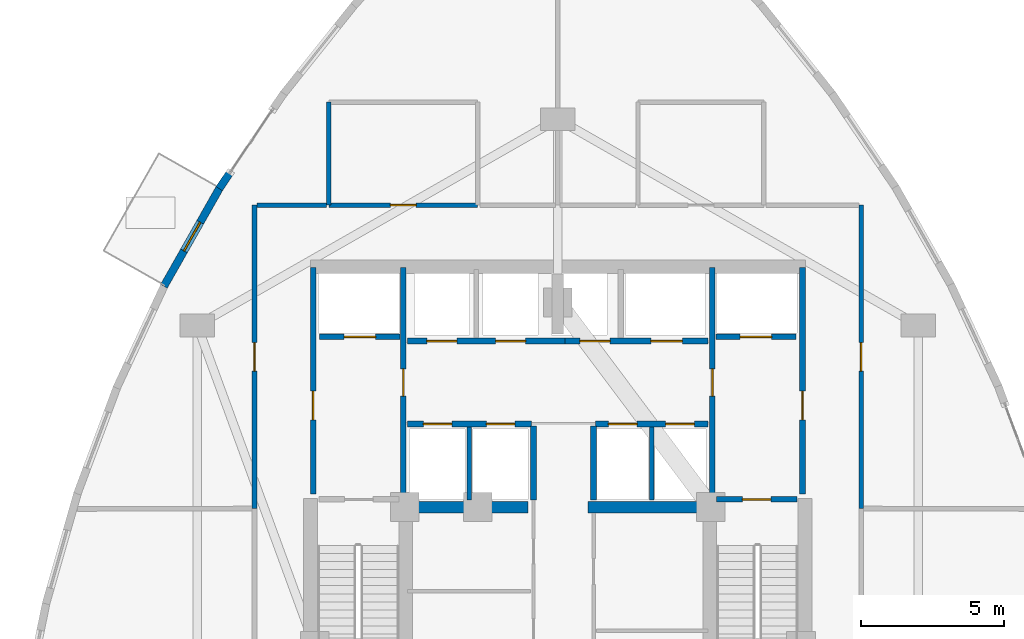
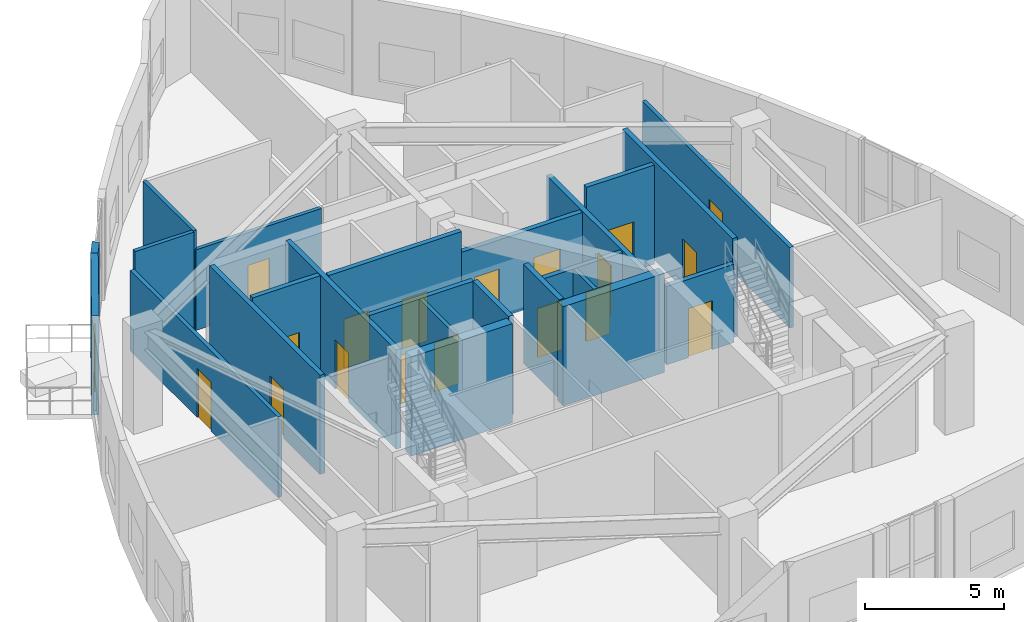
# One storey, part 11 of 14: 24 walls, 19 doors, 19 openings.
"""IFC4 building model written with IfcOpenShell, lengths in metres."""

import ifcopenshell
import ifcopenshell.guid

model = None  # the IFC model being written
_history = None  # IfcOwnerHistory: only IFC2X3 demands one
_inside = {}  # id of a spatial element -> (the spatial element, [elements in it])
_under = {}  # id of a project, library or spatial element -> (it, [spatial elements below it])
_declared = {}  # id of a project -> (the project, [libraries it declares])
_typed = {}  # id of a type object -> (the type object, [elements of that type])
_made_of = {}  # id of a material, layer set ... -> (it, [elements and type objects made of it])


def new_model(schema):
    """Start an empty IFC model of exactly this schema.

    Asked for "IFC4X3", IfcOpenShell would pick the latest addendum, in which some entities
    have other attributes; the version numbers below select the first issue.
    IFC2X3 requires an IfcOwnerHistory on every rooted entity: one is made here for all.
    """
    global model, _history
    if schema == "IFC4X3":
        model = ifcopenshell.file(schema_version=(4, 3, 0, 0))
    else:
        model = ifcopenshell.file(schema=schema)
    _inside.clear()
    _under.clear()
    _declared.clear()
    _typed.clear()
    _made_of.clear()
    _history = None
    if model.schema == "IFC2X3":
        org = make("IfcOrganization", Name="unknown")
        user = make(
            "IfcPersonAndOrganization",
            ThePerson=make("IfcPerson", FamilyName="unknown"),
            TheOrganization=org,
        )
        app = make(
            "IfcApplication",
            ApplicationDeveloper=org,
            Version="unknown",
            ApplicationFullName="unknown",
            ApplicationIdentifier="unknown",
        )
        _history = make(
            "IfcOwnerHistory",
            OwningUser=user,
            OwningApplication=app,
            ChangeAction="ADDED",
            CreationDate=0,
        )
    return model


def make(cls, **values):
    """One entity of the class cls with the attributes given. An attribute that is None is left unset."""
    return model.create_entity(
        cls, **{name: value for name, value in values.items() if value is not None}
    )


def rooted(cls, **values):
    """An entity with a GlobalId (a new one), such as an element, a storey or a relation."""
    return make(cls, GlobalId=ifcopenshell.guid.new(), OwnerHistory=_history, **values)


def si_unit(unit_type, name, prefix=None):
    """IfcSIUnit, for example si_unit("LENGTHUNIT", "METRE", prefix="MILLI")."""
    return make("IfcSIUnit", UnitType=unit_type, Prefix=prefix, Name=name)


def assignment(units):
    """IfcUnitAssignment: the units of a project."""
    return None if units is None else make("IfcUnitAssignment", Units=units)


def point(xyz):
    """IfcCartesianPoint."""
    return None if xyz is None else make("IfcCartesianPoint", Coordinates=xyz)


def direction(xyz):
    """IfcDirection."""
    return None if xyz is None else make("IfcDirection", DirectionRatios=xyz)


def frame(location, z_axis=None, x_axis=None):
    """IfcAxis2Placement3D, a coordinate frame: its origin and axes. An axis left out is left unset."""
    return make(
        "IfcAxis2Placement3D",
        Location=point(location),
        Axis=direction(z_axis),
        RefDirection=direction(x_axis),
    )


def frame_2d(location, x_axis=None):
    """IfcAxis2Placement2D, a coordinate frame in the plane: its origin and x axis."""
    return make(
        "IfcAxis2Placement2D", Location=point(location), RefDirection=direction(x_axis)
    )


def origin():
    """The frame at (0, 0, 0) with its axes left unset."""
    return frame((0.0, 0.0, 0.0))


def place(relative_to, where):
    """IfcLocalPlacement: puts the frame where relative to a parent placement (None: the world)."""
    return make(
        "IfcLocalPlacement", PlacementRelTo=relative_to, RelativePlacement=where
    )


def context(
    kind, dimensions, precision=None, world=None, true_north=None, identifier=None
):
    """IfcGeometricRepresentationContext, for example the 3D "Model" context."""
    return make(
        "IfcGeometricRepresentationContext",
        ContextIdentifier=identifier,
        ContextType=kind,
        CoordinateSpaceDimension=dimensions,
        Precision=precision,
        WorldCoordinateSystem=world,
        TrueNorth=true_north,
    )


def subcontext(parent, identifier, kind, view, scale=None):
    """IfcGeometricRepresentationSubContext, for example "Body" below "Model"."""
    return make(
        "IfcGeometricRepresentationSubContext",
        ContextIdentifier=identifier,
        ContextType=kind,
        ParentContext=parent,
        TargetScale=scale,
        TargetView=view,
    )


def project(units=None, contexts=None):
    """IfcProject with its units and contexts."""
    return rooted(
        "IfcProject",
        Name="project",
        RepresentationContexts=contexts,
        UnitsInContext=assignment(units),
    )


def spatial(cls, under=None, at=None, **own):
    """A site, building, storey or space (cls), placed at a placement, below another one or the project."""
    s = rooted(cls, ObjectPlacement=at, **own)
    if under is not None:
        _under.setdefault(under.id(), (under, []))[1].append(s)
    return s


def profile(cls, at=None, kind="AREA", **sizes):
    """A parametric profile (cls). Its sizes go by their IFC names, for example OverallWidth=200.0."""
    return make(cls, ProfileType=kind, Position=at, **sizes)


def rectangle(**sizes):
    """IfcRectangleProfileDef."""
    return profile("IfcRectangleProfileDef", **sizes)


def extrude(swept, where, along, depth):
    """IfcExtrudedAreaSolid: the profile swept, set in the frame where, extruded along a direction by depth."""
    return make(
        "IfcExtrudedAreaSolid",
        SweptArea=swept,
        Position=where,
        ExtrudedDirection=direction(along),
        Depth=depth,
    )


def shape(context_of_items, identifier, shape_type, items):
    """IfcShapeRepresentation: the items that make up one representation, for example the "Body"."""
    return make(
        "IfcShapeRepresentation",
        ContextOfItems=context_of_items,
        RepresentationIdentifier=identifier,
        RepresentationType=shape_type,
        Items=items,
    )


def material(Name=None, Category=None):
    """IfcMaterial."""
    return make("IfcMaterial", Name=Name, Category=Category)


def layer(
    of_material, thickness, ventilated=None, Name=None, Category=None, Priority=None
):
    """IfcMaterialLayer: one layer of a wall or slab, of a material (None: an air gap)."""
    return make(
        "IfcMaterialLayer",
        Material=of_material,
        LayerThickness=thickness,
        IsVentilated=ventilated,
        Name=Name,
        Category=Category,
        Priority=Priority,
    )


def layer_set(layers, Name=None):
    """IfcMaterialLayerSet."""
    return make("IfcMaterialLayerSet", MaterialLayers=layers, LayerSetName=Name)


def made_of(thing, what):
    """Note that an element or type object is made of a material, layer set ...; save() writes the relation."""
    if what is not None:
        _made_of.setdefault(what.id(), (what, []))[1].append(thing)
    return thing


def type_object(cls, material=None, **own):
    """A type object (cls), such as IfcWallType, which elements share."""
    return made_of(rooted(cls, **own), material)


def element(
    cls,
    number,
    at=None,
    inside=None,
    cuts=None,
    type_object=None,
    material=None,
    context=None,
    identifier="Body",
    shape_type=None,
    held_by="IfcProductDefinitionShape",
    body=None,
    shapes=None,
    **own,
):
    """One element of the class cls, such as IfcWall. Its Tag is "e" and its number.

    at: its placement. inside: the storey or other place that contains it. cuts: it is an
    opening in that element (IfcRelVoidsElement). A single representation is given by context,
    identifier, shape_type and body (its items); several are given by shapes. held_by: the class
    of the entity that holds the representations. save() writes the other relations.
    """
    e = rooted(cls, Tag="e%d" % number, ObjectPlacement=at, **own)
    if body is not None:
        shapes = [shape(context, identifier, shape_type, body)]
    if shapes is not None:
        e.Representation = make(held_by, Representations=shapes)
    if inside is not None:
        _inside.setdefault(inside.id(), (inside, []))[1].append(e)
    if cuts is not None:
        rooted(
            "IfcRelVoidsElement", RelatingBuildingElement=cuts, RelatedOpeningElement=e
        )
    if type_object is not None:
        _typed.setdefault(type_object.id(), (type_object, []))[1].append(e)
    return made_of(e, material)


def fill(opening, filler):
    """IfcRelFillsElement: the door or window that sits in an opening."""
    return rooted(
        "IfcRelFillsElement",
        RelatingOpeningElement=opening,
        RelatedBuildingElement=filler,
    )


def aggregate(whole, parts):
    """IfcRelAggregates: a whole, such as a stair, and the parts it consists of."""
    return rooted("IfcRelAggregates", RelatingObject=whole, RelatedObjects=parts)


def save(model, path):
    """Write the relations noted so far, then the file.

    IfcRelAggregates (storeys below a building ...), IfcRelContainedInSpatialStructure (elements
    in a storey), IfcRelDefinesByType, IfcRelAssociatesMaterial and IfcRelDeclares: one each for
    every whole, place, type object, material and project.
    """
    for whole, parts in _under.values():
        aggregate(whole, parts)
    for where, things in _inside.values():
        rooted(
            "IfcRelContainedInSpatialStructure",
            RelatedElements=things,
            RelatingStructure=where,
        )
    for kind, things in _typed.values():
        rooted("IfcRelDefinesByType", RelatedObjects=things, RelatingType=kind)
    for what, things in _made_of.values():
        rooted("IfcRelAssociatesMaterial", RelatedObjects=things, RelatingMaterial=what)
    for by, libraries in _declared.values():
        rooted("IfcRelDeclares", RelatingContext=by, RelatedDefinitions=libraries)
    model.write(path)


model = new_model("IFC4")

# Units and contexts
model_context = context("Model", 3, precision=1e-05, world=origin(), true_north=direction((0.0, 1.0)))
body_context = subcontext(model_context, "Body", "Model", "MODEL_VIEW")
ifc_project = project(units=[si_unit("LENGTHUNIT", "METRE"), si_unit("AREAUNIT", "SQUARE_METRE"), si_unit("VOLUMEUNIT", "CUBIC_METRE"), si_unit("PLANEANGLEUNIT", "RADIAN"), si_unit("MASSUNIT", "GRAM", prefix="KILO")], contexts=[model_context])

# Site, building, storey
site_placement = place(None, origin())
site = spatial("IfcSite", under=ifc_project, at=site_placement, CompositionType="ELEMENT")
building_placement = place(site_placement, origin())
building = spatial("IfcBuilding", under=site, at=building_placement, Name="Miruveldt Soraemaru", CompositionType="ELEMENT")
storey_placement = place(building_placement, frame((0.0, 0.0, 189.800048828125)))
storey = spatial("IfcBuildingStorey", under=building, at=storey_placement, Name="L52", CompositionType="ELEMENT", Elevation=189.800048828125)

# Walls
ifc_material_1 = material(Name="Concrete C70/85 (70 MPa)", Category="concrete")
ifc_layer_1 = layer(ifc_material_1, 0.5, Name="Concrete C70/85 (70 MPa)", Category="concrete")
ifc_layer_set_1 = layer_set([ifc_layer_1], Name="Concrete C70/85 (70 MPa)")
wall_type_1 = type_object("IfcWallType", Name="WALL-BW-500", PredefinedType="SHEAR", material=ifc_layer_set_1)
for number, where, z_axis, x_axis, name in (
    (1, (38.75, 44.050048828125, 0.0), (0.0, 0.0, 1.0), (1.0, 0.0, 0.0), "L52 Core Buttress Shear Wall BW"),
    (2, (45.050048828125, 44.050048828125, 0.0), (0.0, 0.0, 1.0), (1.0, 0.0, 0.0), "L52 Core Buttress Shear Wall BE"),
):
    element("IfcWall", number, at=place(storey_placement, frame(where, z_axis=z_axis, x_axis=x_axis)), inside=storey, type_object=wall_type_1, Name=name, PredefinedType="SHEAR", context=body_context, shape_type="SweptSolid", body=[
        extrude(rectangle(XDim=4.199951171875, YDim=0.39990234375, at=frame_2d((2.10009765625, 0.0))), origin(), (0.0, 0.0, 1.0), 4.344970703125),
    ])
ifc_material_2 = material(Name="Precast concrete C45/55 (45 MPa)", Category="concrete")
ifc_layer_2 = layer(ifc_material_2, 0.27001953125, Name="Precast concrete C45/55 (45 MPa)", Category="concrete")
ifc_layer_set_2 = layer_set([ifc_layer_2], Name="Precast concrete C45/55 (45 MPa)")
wall_type_2 = type_object("IfcWallType", Name="WALL-EXT-PC270", PredefinedType="SOLIDWALL", material=ifc_layer_set_2)
wall_1_placement = place(storey_placement, frame((32.563232421875, 55.761962890625, 0.0), z_axis=(0.0, 0.0, 1.0), x_axis=(-0.560840485544, -0.827923879215, 0.0)))
element("IfcWall", 3, at=wall_1_placement, inside=storey, type_object=wall_type_2, Name="L52 Precast Pier Right 9", PredefinedType="SOLIDWALL", context=body_context, shape_type="SweptSolid", body=[
    extrude(rectangle(XDim=0.704833984375, YDim=0.27001953125, at=frame_2d((0.3525390625, 0.0))), origin(), (0.0, 0.0, 1.0), 4.344970703125),
])

# Wall, opening, door
wall_2_placement = place(storey_placement, frame((32.204833984375, 55.23779296875, 0.0), z_axis=(0.0, 0.0, 1.0), x_axis=(-0.49338915539, -0.869808680885, 0.0)))
wall_2 = element("IfcWall", 4, at=wall_2_placement, inside=storey, type_object=wall_type_2, Name="L52 Precast Concrete Facade Wall 10", PredefinedType="SOLIDWALL", context=body_context, shape_type="SweptSolid", body=[
    extrude(rectangle(XDim=3.99072265625, YDim=0.27001953125, at=frame_2d((1.995361328125, 0.0))), origin(), (0.0, 0.0, 1.0), 4.344970703125),
])
opening_1_placement = place(wall_2_placement, frame((1.4208984375, 0.0, 0.0)))
opening_1 = element("IfcOpeningElement", 5, at=opening_1_placement, cuts=wall_2, Name="Opening TD-2", PredefinedType="OPENING", context=body_context, shape_type="SweptSolid", body=[
    extrude(rectangle(XDim=1.14990234375, YDim=2.199951171875, at=frame_2d((0.574951171875, 1.10009765625))), frame((0.0, 0.14501953125, 0.0), z_axis=(0.0, -1.0, 0.0), x_axis=(1.0, 0.0, 0.0)), (0.0, 0.0, 1.0), 0.2900390625),
])
ifc_material_3 = material(Name="Anodised aluminium EN AW-6063 T6", Category="aluminium")
door_type_1 = type_object("IfcDoorType", Name="DOOR-SG-1150", OperationType="NOTDEFINED", PredefinedType="DOOR", material=ifc_material_3)
door_1_placement = place(opening_1_placement, frame((1.14990234375, 0.0, 0.0), z_axis=(0.0, 0.0, 1.0), x_axis=(-1.0, 0.0, 0.0)))
door_1 = element("IfcDoor", 6, at=door_1_placement, inside=storey, type_object=door_type_1, Name="L52 Terrace Access Glazed Door 10", OperationType="SINGLE_SWING_LEFT", OverallHeight=2.199951171875, OverallWidth=1.14990234375, PredefinedType="DOOR", context=body_context, shape_type="SweptSolid", body=[
    extrude(rectangle(XDim=1.14990234375, YDim=2.199951171875, at=frame_2d((0.574951171875, 1.10009765625))), frame((0.0, 0.02490234375, 0.0), z_axis=(0.0, -1.0, 0.0), x_axis=(1.0, 0.0, 0.0)), (0.0, 0.0, 1.0), 0.050048828125),
])
fill(opening_1, door_1)

ifc_material_4 = material(Name="Gypsum plasterboard lining", Category="gypsum")
ifc_layer_3 = layer(ifc_material_4, 0.14990234375, Name="Gypsum plasterboard lining", Category="gypsum")
ifc_layer_set_3 = layer_set([ifc_layer_3], Name="Gypsum plasterboard lining")
wall_type_3 = type_object("IfcWallType", Name="WALL-INT-PLUMB", PredefinedType="PLUMBINGWALL", material=ifc_layer_set_3)
wall_3_placement = place(storey_placement, frame((41.199951171875, 54.60009765625, 0.0), z_axis=(0.0, 0.0, 1.0), x_axis=(-1.0, 0.0, 0.0)))
wall_3 = element("IfcWall", 7, at=wall_3_placement, inside=storey, type_object=wall_type_3, Name="L52 Partition Wall 1", PredefinedType="PLUMBINGWALL", context=body_context, shape_type="SweptSolid", body=[
    extrude(rectangle(XDim=5.199951171875, YDim=0.14990234375, at=frame_2d((2.60009765625, 0.0))), origin(), (0.0, 0.0, 1.0), 3.532958984375),
])
opening_2_placement = place(wall_3_placement, frame((2.14990234375, 0.0, 0.0)))
opening_2 = element("IfcOpeningElement", 8, at=opening_2_placement, cuts=wall_3, Name="Opening D3", PredefinedType="OPENING", context=body_context, shape_type="SweptSolid", body=[
    extrude(rectangle(XDim=0.89990234375, YDim=2.10009765625, at=frame_2d((0.449951171875, 1.050048828125))), frame((0.0, 0.0849609375, 0.0), z_axis=(0.0, -1.0, 0.0), x_axis=(1.0, 0.0, 0.0)), (0.0, 0.0, 1.0), 0.169921875),
])
door_type_2 = type_object("IfcDoorType", Name="DOOR-INT-900", OperationType="NOTDEFINED", PredefinedType="DOOR", material=ifc_material_3)
door_2_placement = place(opening_2_placement, origin())
door_2 = element("IfcDoor", 9, at=door_2_placement, inside=storey, type_object=door_type_2, Name="L52 Public Restroom Door", OperationType="SINGLE_SWING_RIGHT", OverallHeight=2.10009765625, OverallWidth=0.89990234375, PredefinedType="DOOR", context=body_context, shape_type="SweptSolid", body=[
    extrude(rectangle(XDim=0.89990234375, YDim=2.10009765625, at=frame_2d((0.449951171875, 1.050048828125))), frame((0.0, 0.02490234375, 0.0), z_axis=(0.0, -1.0, 0.0), x_axis=(1.0, 0.0, 0.0)), (0.0, 0.0, 1.0), 0.050048828125),
])
fill(opening_2, door_2)

# Wall
wall_4_placement = place(storey_placement, frame((36.0, 58.199951171875, 0.0), z_axis=(0.0, 0.0, 1.0), x_axis=(0.0, -1.0, 0.0)))
element("IfcWall", 10, at=wall_4_placement, inside=storey, type_object=wall_type_3, Name="L52 Partition Wall 16", PredefinedType="PLUMBINGWALL", context=body_context, shape_type="SweptSolid", body=[
    extrude(rectangle(XDim=3.599853515625, YDim=0.14990234375, at=frame_2d((1.7998046875, 0.0))), origin(), (0.0, 0.0, 1.0), 4.344970703125),
])

# Wall, opening, door
ifc_material_5 = material(Name="Concrete C40/50 (40 MPa)", Category="concrete")
ifc_layer_4 = layer(ifc_material_5, 0.159912109375, Name="Concrete C40/50 (40 MPa)", Category="concrete")
ifc_layer_set_4 = layer_set([ifc_layer_4], Name="Concrete C40/50 (40 MPa)")
wall_type_4 = type_object("IfcWallType", Name="WALL-INT-RC160", PredefinedType="SOLIDWALL", material=ifc_layer_set_4)
wall_5_placement = place(storey_placement, frame((33.39990234375, 54.60009765625, 0.0), z_axis=(0.0, 0.0, 1.0), x_axis=(0.0, -1.0, 0.0)))
wall_5 = element("IfcWall", 11, at=wall_5_placement, inside=storey, type_object=wall_type_4, Name="L52 Partition Wall 10", PredefinedType="SOLIDWALL", context=body_context, shape_type="SweptSolid", body=[
    extrude(rectangle(XDim=10.60009765625, YDim=0.159912109375, at=frame_2d((5.300048828125, 0.0))), origin(), (0.0, 0.0, 1.0), 3.532958984375),
])
opening_3_placement = place(wall_5_placement, frame((4.800048828125, 0.0, 0.0)))
opening_3 = element("IfcOpeningElement", 12, at=opening_3_placement, cuts=wall_5, Name="Opening FD2A", PredefinedType="OPENING", context=body_context, shape_type="SweptSolid", body=[
    extrude(rectangle(XDim=1.0, YDim=2.14990234375, at=frame_2d((0.5, 1.074951171875))), frame((0.0, 0.08984375, 0.0), z_axis=(0.0, -1.0, 0.0), x_axis=(1.0, 0.0, 0.0)), (0.0, 0.0, 1.0), 0.179931640625),
])
door_type_3 = type_object("IfcDoorType", Name="DOOR-FD2-1000", OperationType="NOTDEFINED", PredefinedType="DOOR", material=ifc_material_3)
door_3_placement = place(opening_3_placement, origin())
door_3 = element("IfcDoor", 13, at=door_3_placement, inside=storey, type_object=door_type_3, Name="L52 Executive Quiet Study Door", OperationType="SINGLE_SWING_RIGHT", OverallHeight=2.14990234375, OverallWidth=1.0, PredefinedType="DOOR", context=body_context, shape_type="SweptSolid", body=[
    extrude(rectangle(XDim=1.0, YDim=2.14990234375, at=frame_2d((0.5, 1.074951171875))), frame((0.0, 0.02490234375, 0.0), z_axis=(0.0, -1.0, 0.0), x_axis=(1.0, 0.0, 0.0)), (0.0, 0.0, 1.0), 0.050048828125),
])
fill(opening_3, door_3)

wall_6_placement = place(storey_placement, frame((54.60009765625, 44.0, 0.0), z_axis=(0.0, 0.0, 1.0), x_axis=(0.0, 1.0, 0.0)))
wall_6 = element("IfcWall", 14, at=wall_6_placement, inside=storey, type_object=wall_type_4, Name="L52 Partition Wall 11", PredefinedType="SOLIDWALL", context=body_context, shape_type="SweptSolid", body=[
    extrude(rectangle(XDim=10.60009765625, YDim=0.159912109375, at=frame_2d((5.300048828125, 0.0))), origin(), (0.0, 0.0, 1.0), 3.532958984375),
])
opening_4_placement = place(wall_6_placement, frame((4.800048828125, 0.0, 0.0)))
opening_4 = element("IfcOpeningElement", 15, at=opening_4_placement, cuts=wall_6, Name="Opening FD2A", PredefinedType="OPENING", context=body_context, shape_type="SweptSolid", body=[
    extrude(rectangle(XDim=1.0, YDim=2.14990234375, at=frame_2d((0.5, 1.074951171875))), frame((0.0, 0.08984375, 0.0), z_axis=(0.0, -1.0, 0.0), x_axis=(1.0, 0.0, 0.0)), (0.0, 0.0, 1.0), 0.179931640625),
])
door_4_placement = place(opening_4_placement, origin())
door_4 = element("IfcDoor", 16, at=door_4_placement, inside=storey, type_object=door_type_3, Name="L52 Private Sky Dining Room Door", OperationType="SINGLE_SWING_LEFT", OverallHeight=2.14990234375, OverallWidth=1.0, PredefinedType="DOOR", context=body_context, shape_type="SweptSolid", body=[
    extrude(rectangle(XDim=1.0, YDim=2.14990234375, at=frame_2d((0.5, 1.074951171875))), frame((0.0, 0.02490234375, 0.0), z_axis=(0.0, -1.0, 0.0), x_axis=(1.0, 0.0, 0.0)), (0.0, 0.0, 1.0), 0.050048828125),
])
fill(opening_4, door_4)

# Walls
wall_7_placement = place(storey_placement, frame((40.89990234375, 44.300048828125, 0.0), z_axis=(0.0, 0.0, 1.0), x_axis=(0.0, 1.0, 0.0)))
element("IfcWall", 17, at=wall_7_placement, inside=storey, type_object=wall_type_4, Name="L52 Core Compartment Wall PLM-DW", PredefinedType="SOLIDWALL", context=body_context, shape_type="SweptSolid", body=[
    extrude(rectangle(XDim=2.550048828125, YDim=0.159912109375, at=frame_2d((1.27490234375, 0.0))), origin(), (0.0, 0.0, 1.0), 4.344970703125),
])
wall_8_placement = place(storey_placement, frame((47.280029296875, 44.300048828125, 0.0), z_axis=(0.0, 0.0, 1.0), x_axis=(0.0, 1.0, 0.0)))
element("IfcWall", 18, at=wall_8_placement, inside=storey, type_object=wall_type_4, Name="L52 Core Compartment Wall PLM-DE", PredefinedType="SOLIDWALL", context=body_context, shape_type="SweptSolid", body=[
    extrude(rectangle(XDim=2.550048828125, YDim=0.159912109375, at=frame_2d((1.27490234375, 0.0))), origin(), (0.0, 0.0, 1.0), 3.432861328125),
])
wall_9_placement = place(storey_placement, frame((35.919921875, 54.60009765625, 0.0), z_axis=(0.0, 0.0, 1.0), x_axis=(-1.0, 0.0, 0.0)))
element("IfcWall", 19, at=wall_9_placement, inside=storey, type_object=wall_type_4, Name="L52 Partition Wall 9", PredefinedType="SOLIDWALL", context=body_context, shape_type="SweptSolid", body=[
    extrude(rectangle(XDim=2.43994140625, YDim=0.159912109375, at=frame_2d((1.219970703125, 0.0))), origin(), (0.0, 0.0, 1.0), 4.344970703125),
])

# Wall, opening, door
ifc_layer_5 = layer(ifc_material_5, 0.199951171875, Name="Concrete C40/50 (40 MPa)", Category="concrete")
ifc_layer_set_5 = layer_set([ifc_layer_5], Name="Concrete C40/50 (40 MPa)")
wall_type_5 = type_object("IfcWallType", Name="WALL-INT-RC200", PredefinedType="SOLIDWALL", material=ifc_layer_set_5)
wall_10_placement = place(storey_placement, frame((35.449951171875, 44.5, 0.0), z_axis=(0.0, 0.0, 1.0), x_axis=(0.0, 1.0, 0.0)))
wall_10 = element("IfcWall", 20, at=wall_10_placement, inside=storey, type_object=wall_type_5, Name="L52 Core Compartment Wall FFW-OUT", PredefinedType="SOLIDWALL", context=body_context, shape_type="SweptSolid", body=[
    extrude(rectangle(XDim=7.919921875, YDim=0.199951171875, at=frame_2d((3.9599609375, 0.0))), origin(), (0.0, 0.0, 1.0), 4.344970703125),
])
opening_5_placement = place(wall_10_placement, frame((2.60009765625, 0.0, 0.0)))
opening_5 = element("IfcOpeningElement", 21, at=opening_5_placement, cuts=wall_10, Name="Opening FD1", PredefinedType="OPENING", context=body_context, shape_type="SweptSolid", body=[
    extrude(rectangle(XDim=1.0, YDim=2.14990234375, at=frame_2d((0.5, 1.074951171875))), frame((0.0, 0.10986328125, 0.0), z_axis=(0.0, -1.0, 0.0), x_axis=(1.0, 0.0, 0.0)), (0.0, 0.0, 1.0), 0.219970703125),
])
door_type_4 = type_object("IfcDoorType", Name="DOOR-FD1-1000", OperationType="NOTDEFINED", PredefinedType="DOOR", material=ifc_material_3)
door_5_placement = place(opening_5_placement, origin())
door_5 = element("IfcDoor", 22, at=door_5_placement, inside=storey, type_object=door_type_4, Name="L52 West Firefighting Lobby Exit Door", OperationType="SINGLE_SWING_LEFT", OverallHeight=2.14990234375, OverallWidth=1.0, PredefinedType="DOOR", context=body_context, shape_type="SweptSolid", body=[
    extrude(rectangle(XDim=1.0, YDim=2.14990234375, at=frame_2d((0.5, 1.074951171875))), frame((0.0, 0.02490234375, 0.0), z_axis=(0.0, -1.0, 0.0), x_axis=(1.0, 0.0, 0.0)), (0.0, 0.0, 1.0), 0.050048828125),
])
fill(opening_5, door_5)

wall_11_placement = place(storey_placement, frame((52.550048828125, 44.5, 0.0), z_axis=(0.0, 0.0, 1.0), x_axis=(0.0, 1.0, 0.0)))
wall_11 = element("IfcWall", 23, at=wall_11_placement, inside=storey, type_object=wall_type_5, Name="L52 Core Compartment Wall FFE-OUT", PredefinedType="SOLIDWALL", context=body_context, shape_type="SweptSolid", body=[
    extrude(rectangle(XDim=7.919921875, YDim=0.199951171875, at=frame_2d((3.9599609375, 0.0))), origin(), (0.0, 0.0, 1.0), 4.344970703125),
])
opening_6_placement = place(wall_11_placement, frame((2.60009765625, 0.0, 0.0)))
opening_6 = element("IfcOpeningElement", 24, at=opening_6_placement, cuts=wall_11, Name="Opening FD1", PredefinedType="OPENING", context=body_context, shape_type="SweptSolid", body=[
    extrude(rectangle(XDim=1.0, YDim=2.14990234375, at=frame_2d((0.5, 1.074951171875))), frame((0.0, 0.10986328125, 0.0), z_axis=(0.0, -1.0, 0.0), x_axis=(1.0, 0.0, 0.0)), (0.0, 0.0, 1.0), 0.219970703125),
])
door_6_placement = place(opening_6_placement, frame((1.0, 0.0, 0.0), z_axis=(0.0, 0.0, 1.0), x_axis=(-1.0, 0.0, 0.0)))
door_6 = element("IfcDoor", 25, at=door_6_placement, inside=storey, type_object=door_type_4, Name="L52 East Firefighting Lobby Exit Door", OperationType="SINGLE_SWING_RIGHT", OverallHeight=2.14990234375, OverallWidth=1.0, PredefinedType="DOOR", context=body_context, shape_type="SweptSolid", body=[
    extrude(rectangle(XDim=1.0, YDim=2.14990234375, at=frame_2d((0.5, 1.074951171875))), frame((0.0, 0.02490234375, 0.0), z_axis=(0.0, -1.0, 0.0), x_axis=(1.0, 0.0, 0.0)), (0.0, 0.0, 1.0), 0.050048828125),
])
fill(opening_6, door_6)

wall_12_placement = place(storey_placement, frame((38.60009765625, 44.5, 0.0), z_axis=(0.0, 0.0, 1.0), x_axis=(0.0, 1.0, 0.0)))
wall_12 = element("IfcWall", 26, at=wall_12_placement, inside=storey, type_object=wall_type_5, Name="L52 Core Compartment Wall FFW-IN", PredefinedType="SOLIDWALL", context=body_context, shape_type="SweptSolid", body=[
    extrude(rectangle(XDim=7.919921875, YDim=0.199951171875, at=frame_2d((3.9599609375, 0.0))), origin(), (0.0, 0.0, 1.0), 4.344970703125),
])
opening_7_placement = place(wall_12_placement, frame((3.425048828125, 0.0, 0.0)))
opening_7 = element("IfcOpeningElement", 27, at=opening_7_placement, cuts=wall_12, Name="Opening FD2", PredefinedType="OPENING", context=body_context, shape_type="SweptSolid", body=[
    extrude(rectangle(XDim=0.949951171875, YDim=2.14990234375, at=frame_2d((0.47509765625, 1.074951171875))), frame((0.0, 0.10986328125, 0.0), z_axis=(0.0, -1.0, 0.0), x_axis=(1.0, 0.0, 0.0)), (0.0, 0.0, 1.0), 0.219970703125),
])
door_type_5 = type_object("IfcDoorType", Name="DOOR-FD2-950", OperationType="NOTDEFINED", PredefinedType="DOOR", material=ifc_material_3)
door_7_placement = place(opening_7_placement, frame((0.949951171875, 0.0, 0.0), z_axis=(0.0, 0.0, 1.0), x_axis=(-1.0, 0.0, 0.0)))
door_7 = element("IfcDoor", 28, at=door_7_placement, inside=storey, type_object=door_type_5, Name="L52 Lift Lobby to West Fire Lobby Door", OperationType="SINGLE_SWING_RIGHT", OverallHeight=2.14990234375, OverallWidth=0.949951171875, PredefinedType="DOOR", context=body_context, shape_type="SweptSolid", body=[
    extrude(rectangle(XDim=0.949951171875, YDim=2.14990234375, at=frame_2d((0.47509765625, 1.074951171875))), frame((0.0, 0.02490234375, 0.0), z_axis=(0.0, -1.0, 0.0), x_axis=(1.0, 0.0, 0.0)), (0.0, 0.0, 1.0), 0.050048828125),
])
fill(opening_7, door_7)

wall_13_placement = place(storey_placement, frame((49.39990234375, 44.5, 0.0), z_axis=(0.0, 0.0, 1.0), x_axis=(0.0, 1.0, 0.0)))
wall_13 = element("IfcWall", 29, at=wall_13_placement, inside=storey, type_object=wall_type_5, Name="L52 Core Compartment Wall FFE-IN", PredefinedType="SOLIDWALL", context=body_context, shape_type="SweptSolid", body=[
    extrude(rectangle(XDim=7.919921875, YDim=0.199951171875, at=frame_2d((3.9599609375, 0.0))), origin(), (0.0, 0.0, 1.0), 3.432861328125),
])
opening_8_placement = place(wall_13_placement, frame((3.425048828125, 0.0, 0.0)))
opening_8 = element("IfcOpeningElement", 30, at=opening_8_placement, cuts=wall_13, Name="Opening FD2", PredefinedType="OPENING", context=body_context, shape_type="SweptSolid", body=[
    extrude(rectangle(XDim=0.949951171875, YDim=2.14990234375, at=frame_2d((0.47509765625, 1.074951171875))), frame((0.0, 0.10986328125, 0.0), z_axis=(0.0, -1.0, 0.0), x_axis=(1.0, 0.0, 0.0)), (0.0, 0.0, 1.0), 0.219970703125),
])
door_8_placement = place(opening_8_placement, origin())
door_8 = element("IfcDoor", 31, at=door_8_placement, inside=storey, type_object=door_type_5, Name="L52 Lift Lobby to East Fire Lobby Door", OperationType="SINGLE_SWING_LEFT", OverallHeight=2.14990234375, OverallWidth=0.949951171875, PredefinedType="DOOR", context=body_context, shape_type="SweptSolid", body=[
    extrude(rectangle(XDim=0.949951171875, YDim=2.14990234375, at=frame_2d((0.47509765625, 1.074951171875))), frame((0.0, 0.02490234375, 0.0), z_axis=(0.0, -1.0, 0.0), x_axis=(1.0, 0.0, 0.0)), (0.0, 0.0, 1.0), 0.050048828125),
])
fill(opening_8, door_8)

# Wall, openings, doors
wall_14_placement = place(storey_placement, frame((38.75, 49.85009765625, 0.0), z_axis=(0.0, 0.0, 1.0), x_axis=(1.0, 0.0, 0.0)))
wall_14 = element("IfcWall", 32, at=wall_14_placement, inside=storey, type_object=wall_type_5, Name="L52 Core Compartment Wall ROWA-SW", PredefinedType="SOLIDWALL", context=body_context, shape_type="SweptSolid", body=[
    extrude(rectangle(XDim=5.5, YDim=0.199951171875, at=frame_2d((2.75, 0.0))), origin(), (0.0, 0.0, 1.0), 4.344970703125),
])
opening_9_placement = place(wall_14_placement, frame((0.675048828125, 0.0, 0.0)))
opening_9 = element("IfcOpeningElement", 33, at=opening_9_placement, cuts=wall_14, Name="Opening LD1", PredefinedType="OPENING", context=body_context, shape_type="SweptSolid", body=[
    extrude(rectangle(XDim=1.050048828125, YDim=2.14990234375, at=frame_2d((0.52490234375, 1.074951171875))), frame((0.0, 0.10986328125, 0.0), z_axis=(0.0, -1.0, 0.0), x_axis=(1.0, 0.0, 0.0)), (0.0, 0.0, 1.0), 0.219970703125),
])
opening_10_placement = place(wall_14_placement, frame((3.074951171875, 0.0, 0.0)))
opening_10 = element("IfcOpeningElement", 34, at=opening_10_placement, cuts=wall_14, Name="Opening LD1", PredefinedType="OPENING", context=body_context, shape_type="SweptSolid", body=[
    extrude(rectangle(XDim=1.050048828125, YDim=2.14990234375, at=frame_2d((0.52490234375, 1.074951171875))), frame((0.0, 0.10986328125, 0.0), z_axis=(0.0, -1.0, 0.0), x_axis=(1.0, 0.0, 0.0)), (0.0, 0.0, 1.0), 0.219970703125),
])
door_type_6 = type_object("IfcDoorType", Name="DOOR-LD1-1050", OperationType="SLIDING_TO_LEFT", PredefinedType="DOOR", material=ifc_material_3)
door_9_placement = place(opening_9_placement, origin())
door_9 = element("IfcDoor", 35, at=door_9_placement, inside=storey, type_object=door_type_6, Name="L52 PL-H1 Landing Door", OperationType="SLIDING_TO_LEFT", OverallHeight=2.14990234375, OverallWidth=1.050048828125, PredefinedType="DOOR", context=body_context, shape_type="SweptSolid", body=[
    extrude(rectangle(XDim=1.050048828125, YDim=2.14990234375, at=frame_2d((0.52490234375, 1.074951171875))), frame((0.0, 0.02490234375, 0.0), z_axis=(0.0, -1.0, 0.0), x_axis=(1.0, 0.0, 0.0)), (0.0, 0.0, 1.0), 0.050048828125),
])
fill(opening_9, door_9)
door_10_placement = place(opening_10_placement, origin())
door_10 = element("IfcDoor", 36, at=door_10_placement, inside=storey, type_object=door_type_6, Name="L52 PL-H2 Landing Door", OperationType="SLIDING_TO_LEFT", OverallHeight=2.14990234375, OverallWidth=1.050048828125, PredefinedType="DOOR", context=body_context, shape_type="SweptSolid", body=[
    extrude(rectangle(XDim=1.050048828125, YDim=2.14990234375, at=frame_2d((0.52490234375, 1.074951171875))), frame((0.0, 0.02490234375, 0.0), z_axis=(0.0, -1.0, 0.0), x_axis=(1.0, 0.0, 0.0)), (0.0, 0.0, 1.0), 0.050048828125),
])
fill(opening_10, door_10)

wall_15_placement = place(storey_placement, frame((44.25, 49.85009765625, 0.0), z_axis=(0.0, 0.0, 1.0), x_axis=(1.0, 0.0, 0.0)))
wall_15 = element("IfcWall", 37, at=wall_15_placement, inside=storey, type_object=wall_type_5, Name="L52 Core Compartment Wall ROWA-SE", PredefinedType="SOLIDWALL", context=body_context, shape_type="SweptSolid", body=[
    extrude(rectangle(XDim=5.0, YDim=0.199951171875, at=frame_2d((2.5, 0.0))), origin(), (0.0, 0.0, 1.0), 3.432861328125),
])
opening_11_placement = place(wall_15_placement, frame((0.52490234375, 0.0, 0.0)))
opening_11 = element("IfcOpeningElement", 38, at=opening_11_placement, cuts=wall_15, Name="Opening LD1", PredefinedType="OPENING", context=body_context, shape_type="SweptSolid", body=[
    extrude(rectangle(XDim=1.050048828125, YDim=2.14990234375, at=frame_2d((0.52490234375, 1.074951171875))), frame((0.0, 0.10986328125, 0.0), z_axis=(0.0, -1.0, 0.0), x_axis=(1.0, 0.0, 0.0)), (0.0, 0.0, 1.0), 0.219970703125),
])
opening_12_placement = place(wall_15_placement, frame((3.0, 0.0, 0.0)))
opening_12 = element("IfcOpeningElement", 39, at=opening_12_placement, cuts=wall_15, Name="Opening LD2", PredefinedType="OPENING", context=body_context, shape_type="SweptSolid", body=[
    extrude(rectangle(XDim=1.10009765625, YDim=2.14990234375, at=frame_2d((0.550048828125, 1.074951171875))), frame((0.0, 0.10986328125, 0.0), z_axis=(0.0, -1.0, 0.0), x_axis=(1.0, 0.0, 0.0)), (0.0, 0.0, 1.0), 0.219970703125),
])
door_11_placement = place(opening_11_placement, origin())
door_11 = element("IfcDoor", 40, at=door_11_placement, inside=storey, type_object=door_type_6, Name="L52 PL-H3 Landing Door", OperationType="SLIDING_TO_LEFT", OverallHeight=2.14990234375, OverallWidth=1.050048828125, PredefinedType="DOOR", context=body_context, shape_type="SweptSolid", body=[
    extrude(rectangle(XDim=1.050048828125, YDim=2.14990234375, at=frame_2d((0.52490234375, 1.074951171875))), frame((0.0, 0.02490234375, 0.0), z_axis=(0.0, -1.0, 0.0), x_axis=(1.0, 0.0, 0.0)), (0.0, 0.0, 1.0), 0.050048828125),
])
fill(opening_11, door_11)
door_type_7 = type_object("IfcDoorType", Name="DOOR-LD2-1100", OperationType="SLIDING_TO_LEFT", PredefinedType="DOOR", material=ifc_material_3)
door_12_placement = place(opening_12_placement, origin())
door_12 = element("IfcDoor", 41, at=door_12_placement, inside=storey, type_object=door_type_7, Name="L52 SL-1 Landing Door", OperationType="SLIDING_TO_LEFT", OverallHeight=2.14990234375, OverallWidth=1.10009765625, PredefinedType="DOOR", context=body_context, shape_type="SweptSolid", body=[
    extrude(rectangle(XDim=1.10009765625, YDim=2.14990234375, at=frame_2d((0.550048828125, 1.074951171875))), frame((0.0, 0.02490234375, 0.0), z_axis=(0.0, -1.0, 0.0), x_axis=(1.0, 0.0, 0.0)), (0.0, 0.0, 1.0), 0.050048828125),
])
fill(opening_12, door_12)

wall_16_placement = place(storey_placement, frame((38.75, 46.949951171875, 0.0), z_axis=(0.0, 0.0, 1.0), x_axis=(1.0, 0.0, 0.0)))
wall_16 = element("IfcWall", 42, at=wall_16_placement, inside=storey, type_object=wall_type_5, Name="L52 Core Compartment Wall MBW-N", PredefinedType="SOLIDWALL", context=body_context, shape_type="SweptSolid", body=[
    extrude(rectangle(XDim=4.330078125, YDim=0.199951171875, at=frame_2d((2.1650390625, 0.0))), origin(), (0.0, 0.0, 1.0), 4.344970703125),
])
opening_13_placement = place(wall_16_placement, frame((0.550048828125, 0.0, 0.0)))
opening_13 = element("IfcOpeningElement", 43, at=opening_13_placement, cuts=wall_16, Name="Opening LD1B", PredefinedType="OPENING", context=body_context, shape_type="SweptSolid", body=[
    extrude(rectangle(XDim=1.0, YDim=2.14990234375, at=frame_2d((0.5, 1.074951171875))), frame((0.0, 0.10986328125, 0.0), z_axis=(0.0, -1.0, 0.0), x_axis=(1.0, 0.0, 0.0)), (0.0, 0.0, 1.0), 0.219970703125),
])
opening_14_placement = place(wall_16_placement, frame((2.75, 0.0, 0.0)))
opening_14 = element("IfcOpeningElement", 44, at=opening_14_placement, cuts=wall_16, Name="Opening LD1B", PredefinedType="OPENING", context=body_context, shape_type="SweptSolid", body=[
    extrude(rectangle(XDim=1.0, YDim=2.14990234375, at=frame_2d((0.5, 1.074951171875))), frame((0.0, 0.10986328125, 0.0), z_axis=(0.0, -1.0, 0.0), x_axis=(1.0, 0.0, 0.0)), (0.0, 0.0, 1.0), 0.219970703125),
])
door_type_8 = type_object("IfcDoorType", Name="DOOR-LD1-1000", OperationType="SLIDING_TO_LEFT", PredefinedType="DOOR", material=ifc_material_3)
door_13_placement = place(opening_13_placement, origin())
door_13 = element("IfcDoor", 45, at=door_13_placement, inside=storey, type_object=door_type_8, Name="L52 PL-M1 Landing Door", OperationType="SLIDING_TO_LEFT", OverallHeight=2.14990234375, OverallWidth=1.0, PredefinedType="DOOR", context=body_context, shape_type="SweptSolid", body=[
    extrude(rectangle(XDim=1.0, YDim=2.14990234375, at=frame_2d((0.5, 1.074951171875))), frame((0.0, 0.02490234375, 0.0), z_axis=(0.0, -1.0, 0.0), x_axis=(1.0, 0.0, 0.0)), (0.0, 0.0, 1.0), 0.050048828125),
])
fill(opening_13, door_13)
door_14_placement = place(opening_14_placement, origin())
door_14 = element("IfcDoor", 46, at=door_14_placement, inside=storey, type_object=door_type_8, Name="L52 PL-M2 Landing Door", OperationType="SLIDING_TO_LEFT", OverallHeight=2.14990234375, OverallWidth=1.0, PredefinedType="DOOR", context=body_context, shape_type="SweptSolid", body=[
    extrude(rectangle(XDim=1.0, YDim=2.14990234375, at=frame_2d((0.5, 1.074951171875))), frame((0.0, 0.02490234375, 0.0), z_axis=(0.0, -1.0, 0.0), x_axis=(1.0, 0.0, 0.0)), (0.0, 0.0, 1.0), 0.050048828125),
])
fill(opening_14, door_14)

wall_17_placement = place(storey_placement, frame((45.320068359375, 46.949951171875, 0.0), z_axis=(0.0, 0.0, 1.0), x_axis=(1.0, 0.0, 0.0)))
wall_17 = element("IfcWall", 47, at=wall_17_placement, inside=storey, type_object=wall_type_5, Name="L52 Core Compartment Wall MBE-N", PredefinedType="SOLIDWALL", context=body_context, shape_type="SweptSolid", body=[
    extrude(rectangle(XDim=3.929931640625, YDim=0.199951171875, at=frame_2d((1.96484375, 0.0))), origin(), (0.0, 0.0, 1.0), 3.432861328125),
])
opening_15_placement = place(wall_17_placement, frame((0.449951171875, 0.0, 0.0)))
opening_15 = element("IfcOpeningElement", 48, at=opening_15_placement, cuts=wall_17, Name="Opening LD1B", PredefinedType="OPENING", context=body_context, shape_type="SweptSolid", body=[
    extrude(rectangle(XDim=1.0, YDim=2.14990234375, at=frame_2d((0.5, 1.074951171875))), frame((0.0, 0.10986328125, 0.0), z_axis=(0.0, -1.0, 0.0), x_axis=(1.0, 0.0, 0.0)), (0.0, 0.0, 1.0), 0.219970703125),
])
opening_16_placement = place(wall_17_placement, frame((2.449951171875, 0.0, 0.0)))
opening_16 = element("IfcOpeningElement", 49, at=opening_16_placement, cuts=wall_17, Name="Opening LD1B", PredefinedType="OPENING", context=body_context, shape_type="SweptSolid", body=[
    extrude(rectangle(XDim=1.0, YDim=2.14990234375, at=frame_2d((0.5, 1.074951171875))), frame((0.0, 0.10986328125, 0.0), z_axis=(0.0, -1.0, 0.0), x_axis=(1.0, 0.0, 0.0)), (0.0, 0.0, 1.0), 0.219970703125),
])
door_15_placement = place(opening_15_placement, origin())
door_15 = element("IfcDoor", 50, at=door_15_placement, inside=storey, type_object=door_type_8, Name="L52 PL-M3 Landing Door", OperationType="SLIDING_TO_LEFT", OverallHeight=2.14990234375, OverallWidth=1.0, PredefinedType="DOOR", context=body_context, shape_type="SweptSolid", body=[
    extrude(rectangle(XDim=1.0, YDim=2.14990234375, at=frame_2d((0.5, 1.074951171875))), frame((0.0, 0.02490234375, 0.0), z_axis=(0.0, -1.0, 0.0), x_axis=(1.0, 0.0, 0.0)), (0.0, 0.0, 1.0), 0.050048828125),
])
fill(opening_15, door_15)
door_16_placement = place(opening_16_placement, origin())
door_16 = element("IfcDoor", 51, at=door_16_placement, inside=storey, type_object=door_type_8, Name="L52 PL-M4 Landing Door", OperationType="SLIDING_TO_LEFT", OverallHeight=2.14990234375, OverallWidth=1.0, PredefinedType="DOOR", context=body_context, shape_type="SweptSolid", body=[
    extrude(rectangle(XDim=1.0, YDim=2.14990234375, at=frame_2d((0.5, 1.074951171875))), frame((0.0, 0.02490234375, 0.0), z_axis=(0.0, -1.0, 0.0), x_axis=(1.0, 0.0, 0.0)), (0.0, 0.0, 1.0), 0.050048828125),
])
fill(opening_16, door_16)

# Wall, opening, door
wall_18_placement = place(storey_placement, frame((49.550048828125, 44.320068359375, 0.0), z_axis=(0.0, 0.0, 1.0), x_axis=(1.0, 0.0, 0.0)))
wall_18 = element("IfcWall", 52, at=wall_18_placement, inside=storey, type_object=wall_type_5, Name="L52 Core Compartment Wall ST2-N", PredefinedType="SOLIDWALL", context=body_context, shape_type="SweptSolid", body=[
    extrude(rectangle(XDim=2.800048828125, YDim=0.199951171875, at=frame_2d((1.39990234375, 0.0))), origin(), (0.0, 0.0, 1.0), 3.432861328125),
])
opening_17_placement = place(wall_18_placement, frame((0.89990234375, 0.0, 0.0)))
opening_17 = element("IfcOpeningElement", 53, at=opening_17_placement, cuts=wall_18, Name="Opening FD1", PredefinedType="OPENING", context=body_context, shape_type="SweptSolid", body=[
    extrude(rectangle(XDim=1.0, YDim=2.14990234375, at=frame_2d((0.5, 1.074951171875))), frame((0.0, 0.10986328125, 0.0), z_axis=(0.0, -1.0, 0.0), x_axis=(1.0, 0.0, 0.0)), (0.0, 0.0, 1.0), 0.219970703125),
])
door_17_placement = place(opening_17_placement, frame((1.0, 0.0, 0.0), z_axis=(0.0, 0.0, 1.0), x_axis=(-1.0, 0.0, 0.0)))
door_17 = element("IfcDoor", 54, at=door_17_placement, inside=storey, type_object=door_type_4, Name="L52 Stair ST-2 Fire Door", OperationType="SINGLE_SWING_RIGHT", OverallHeight=2.14990234375, OverallWidth=1.0, PredefinedType="DOOR", context=body_context, shape_type="SweptSolid", body=[
    extrude(rectangle(XDim=1.0, YDim=2.14990234375, at=frame_2d((0.5, 1.074951171875))), frame((0.0, 0.02490234375, 0.0), z_axis=(0.0, -1.0, 0.0), x_axis=(1.0, 0.0, 0.0)), (0.0, 0.0, 1.0), 0.050048828125),
])
fill(opening_17, door_17)

wall_19_placement = place(storey_placement, frame((35.679931640625, 50.0, 0.0), z_axis=(0.0, 0.0, 1.0), x_axis=(1.0, 0.0, 0.0)))
wall_19 = element("IfcWall", 55, at=wall_19_placement, inside=storey, type_object=wall_type_5, Name="L52 Core Compartment Wall FFL1-S", PredefinedType="SOLIDWALL", context=body_context, shape_type="SweptSolid", body=[
    extrude(rectangle(XDim=2.800048828125, YDim=0.199951171875, at=frame_2d((1.39990234375, 0.0))), origin(), (0.0, 0.0, 1.0), 4.344970703125),
])
opening_18_placement = place(wall_19_placement, frame((0.85009765625, 0.0, 0.0)))
opening_18 = element("IfcOpeningElement", 56, at=opening_18_placement, cuts=wall_19, Name="Opening LD2", PredefinedType="OPENING", context=body_context, shape_type="SweptSolid", body=[
    extrude(rectangle(XDim=1.10009765625, YDim=2.14990234375, at=frame_2d((0.550048828125, 1.074951171875))), frame((0.0, 0.10986328125, 0.0), z_axis=(0.0, -1.0, 0.0), x_axis=(1.0, 0.0, 0.0)), (0.0, 0.0, 1.0), 0.219970703125),
])
door_18_placement = place(opening_18_placement, origin())
door_18 = element("IfcDoor", 57, at=door_18_placement, inside=storey, type_object=door_type_7, Name="L52 FFL-1 Landing Door", OperationType="SLIDING_TO_LEFT", OverallHeight=2.14990234375, OverallWidth=1.10009765625, PredefinedType="DOOR", context=body_context, shape_type="SweptSolid", body=[
    extrude(rectangle(XDim=1.10009765625, YDim=2.14990234375, at=frame_2d((0.550048828125, 1.074951171875))), frame((0.0, 0.02490234375, 0.0), z_axis=(0.0, -1.0, 0.0), x_axis=(1.0, 0.0, 0.0)), (0.0, 0.0, 1.0), 0.050048828125),
])
fill(opening_18, door_18)

wall_20_placement = place(storey_placement, frame((49.52001953125, 50.0, 0.0), z_axis=(0.0, 0.0, 1.0), x_axis=(1.0, 0.0, 0.0)))
wall_20 = element("IfcWall", 58, at=wall_20_placement, inside=storey, type_object=wall_type_5, Name="L52 Core Compartment Wall FFL2-S", PredefinedType="SOLIDWALL", context=body_context, shape_type="SweptSolid", body=[
    extrude(rectangle(XDim=2.800048828125, YDim=0.199951171875, at=frame_2d((1.39990234375, 0.0))), origin(), (0.0, 0.0, 1.0), 4.344970703125),
])
opening_19_placement = place(wall_20_placement, frame((0.85009765625, 0.0, 0.0)))
opening_19 = element("IfcOpeningElement", 59, at=opening_19_placement, cuts=wall_20, Name="Opening LD2", PredefinedType="OPENING", context=body_context, shape_type="SweptSolid", body=[
    extrude(rectangle(XDim=1.10009765625, YDim=2.14990234375, at=frame_2d((0.550048828125, 1.074951171875))), frame((0.0, 0.10986328125, 0.0), z_axis=(0.0, -1.0, 0.0), x_axis=(1.0, 0.0, 0.0)), (0.0, 0.0, 1.0), 0.219970703125),
])
door_19_placement = place(opening_19_placement, origin())
door_19 = element("IfcDoor", 60, at=door_19_placement, inside=storey, type_object=door_type_7, Name="L52 FFL-2 Landing Door", OperationType="SLIDING_TO_LEFT", OverallHeight=2.14990234375, OverallWidth=1.10009765625, PredefinedType="DOOR", context=body_context, shape_type="SweptSolid", body=[
    extrude(rectangle(XDim=1.10009765625, YDim=2.14990234375, at=frame_2d((0.550048828125, 1.074951171875))), frame((0.0, 0.02490234375, 0.0), z_axis=(0.0, -1.0, 0.0), x_axis=(1.0, 0.0, 0.0)), (0.0, 0.0, 1.0), 0.050048828125),
])
fill(opening_19, door_19)

# Walls
for number, where, z_axis, x_axis, name in (
    (61, (43.14990234375, 44.300048828125, 0.0), (0.0, 0.0, 1.0), (0.0, 1.0, 0.0), "L52 Core Compartment Wall SP-WB"),
    (62, (45.25, 44.300048828125, 0.0), (0.0, 0.0, 1.0), (0.0, 1.0, 0.0), "L52 Core Compartment Wall SP-EB"),
):
    element("IfcWall", number, at=place(storey_placement, frame(where, z_axis=z_axis, x_axis=x_axis)), inside=storey, type_object=wall_type_5, Name=name, PredefinedType="SOLIDWALL", context=body_context, shape_type="SweptSolid", body=[
        extrude(rectangle(XDim=2.579833984375, YDim=0.199951171875, at=frame_2d((1.2900390625, 0.0))), origin(), (0.0, 0.0, 1.0), 4.344970703125),
    ])

save(model, "model.ifc")
